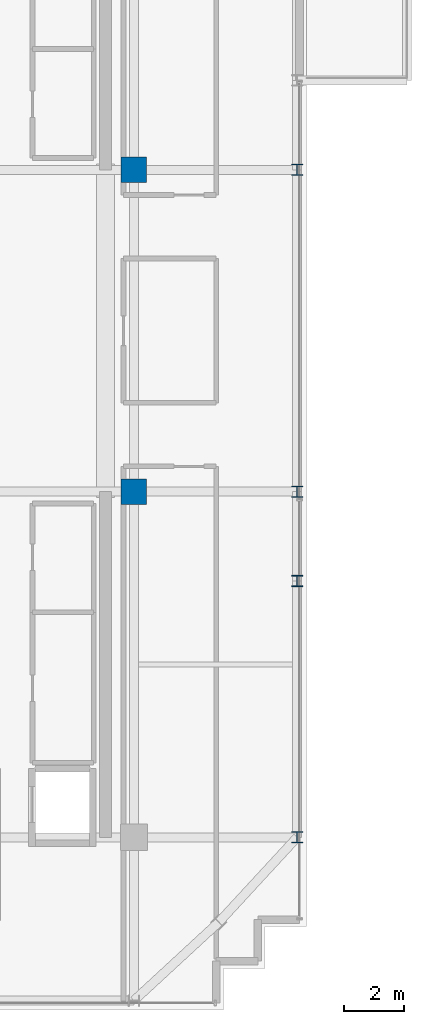
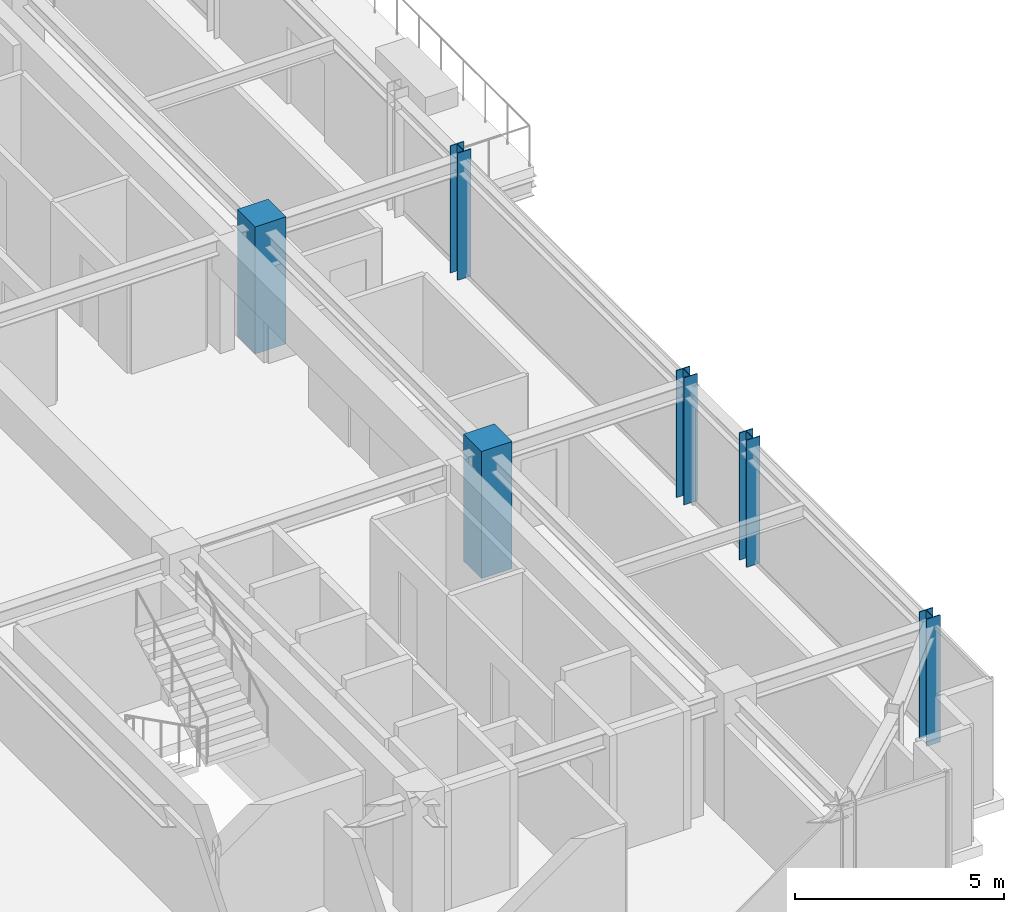
# One storey, part 2 of 33: 6 columns.
"""IFC4 building model written with IfcOpenShell, lengths in metres."""

from ifc_helpers import new_model, si_unit, direction, frame, origin, origin_2d, place, context, subcontext, project, spatial, rectangle, i_section, extrude, source, transform, mapped, material, material_profile, profile_set, type_object, element, save


model = new_model("IFC4")

# Units and contexts
model_context = context("Model", 3, precision=1e-05, world=origin(), true_north=direction((0.0, 1.0)))
body_context = subcontext(model_context, "Body", "Model", "MODEL_VIEW")
ifc_project = project(units=[si_unit("LENGTHUNIT", "METRE"), si_unit("AREAUNIT", "SQUARE_METRE"), si_unit("VOLUMEUNIT", "CUBIC_METRE"), si_unit("PLANEANGLEUNIT", "RADIAN"), si_unit("MASSUNIT", "GRAM", prefix="KILO")], contexts=[model_context])

# Site, building, storey
site_placement = place(None, origin())
site = spatial("IfcSite", under=ifc_project, at=site_placement, CompositionType="ELEMENT")
building_placement = place(site_placement, origin())
building = spatial("IfcBuilding", under=site, at=building_placement, Name="Nahalor Promenade Grand Hotel", CompositionType="ELEMENT")
storey_placement = place(building_placement, frame((0.0, 0.0, 270.050048828125)))
storey = spatial("IfcBuildingStorey", under=building, at=storey_placement, Name="L69", CompositionType="ELEMENT", Elevation=270.050048828125)

# Columns
ifc_material_1 = material(Name="Concrete B-70 (C60/75)", Category="concrete")
ifc_material_profile_1 = material_profile(ifc_material_1, rectangle(XDim=0.85, YDim=0.85, at=origin_2d()), Name="RC 850x850")
ifc_profile_set_1 = profile_set([ifc_material_profile_1], Name="Concrete B-70 (C60/75)")
column_type_1 = type_object("IfcColumnType", Name="Col-Pilaster-850", PredefinedType="PILASTER", material=ifc_profile_set_1)
shared_shape_1 = source(origin(), body_context, "Body", "SweptSolid", [
    extrude(rectangle(XDim=0.85, YDim=0.85, at=origin_2d()), origin(), (0.0, 0.0, 1.0), 3.704833984375),
])
for number, where, z_axis, x_axis, name in (
    (1, (17.0, -5.39990234375, 0.0), (0.0, 0.0, 1.0), (1.0, 0.0, 0.0), "COL-L69-I51"),
    (2, (17.0, 5.39990234375, 0.0), (0.0, 0.0, 1.0), (1.0, 0.0, 0.0), "COL-L69-I52"),
):
    element("IfcColumn", number, at=place(storey_placement, frame(where, z_axis=z_axis, x_axis=x_axis)), inside=storey, type_object=column_type_1, Name=name, PredefinedType="PILASTER", context=body_context, shape_type="MappedRepresentation", body=[
        mapped(shared_shape_1, transform((0.0, 0.0, 0.0), scale=1.0)),
    ])
ifc_material_2 = material(Name="Steel S355JR", Category="steel")
ifc_material_profile_2 = material_profile(ifc_material_2, i_section(OverallWidth=0.374, OverallDepth=0.374, WebThickness=0.0144, FlangeThickness=0.0229, at=origin_2d()), Name="HD 360x262")
ifc_profile_set_2 = profile_set([ifc_material_profile_2], Name="Steel S355JR")
column_type_2 = type_object("IfcColumnType", Name="Col-Steel-HD262", PredefinedType="COLUMN", material=ifc_profile_set_2)
shared_shape_2 = source(origin(), body_context, "Body", "SweptSolid", [
    extrude(i_section(OverallWidth=0.374, OverallDepth=0.374, WebThickness=0.0144, FlangeThickness=0.0229, at=origin_2d()), origin(), (0.0, 0.0, 1.0), 3.704833984375),
])
for number, where, z_axis, x_axis, name in (
    (3, (22.47998046875, -17.0, 0.0), (0.0, 0.0, 1.0), (1.0, 0.0, 0.0), "COL-L69-PW-E0"),
    (4, (22.47998046875, -8.39990234375, 0.0), (0.0, 0.0, 1.0), (1.0, 0.0, 0.0), "COL-L69-PW-E1"),
    (5, (22.47998046875, -5.39990234375, 0.0), (0.0, 0.0, 1.0), (1.0, 0.0, 0.0), "COL-L69-PW-E2"),
    (6, (22.47998046875, 5.39990234375, 0.0), (0.0, 0.0, 1.0), (1.0, 0.0, 0.0), "COL-L69-PW-E3"),
):
    element("IfcColumn", number, at=place(storey_placement, frame(where, z_axis=z_axis, x_axis=x_axis)), inside=storey, type_object=column_type_2, Name=name, PredefinedType="COLUMN", context=body_context, shape_type="MappedRepresentation", body=[
        mapped(shared_shape_2, transform((0.0, 0.0, 0.0), scale=1.0)),
    ])

save(model, "model.ifc")
